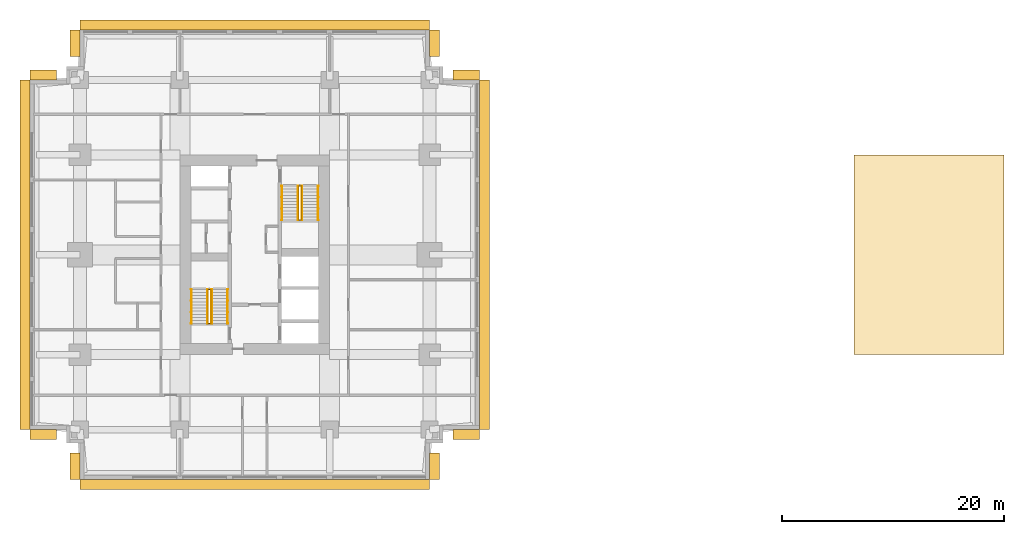
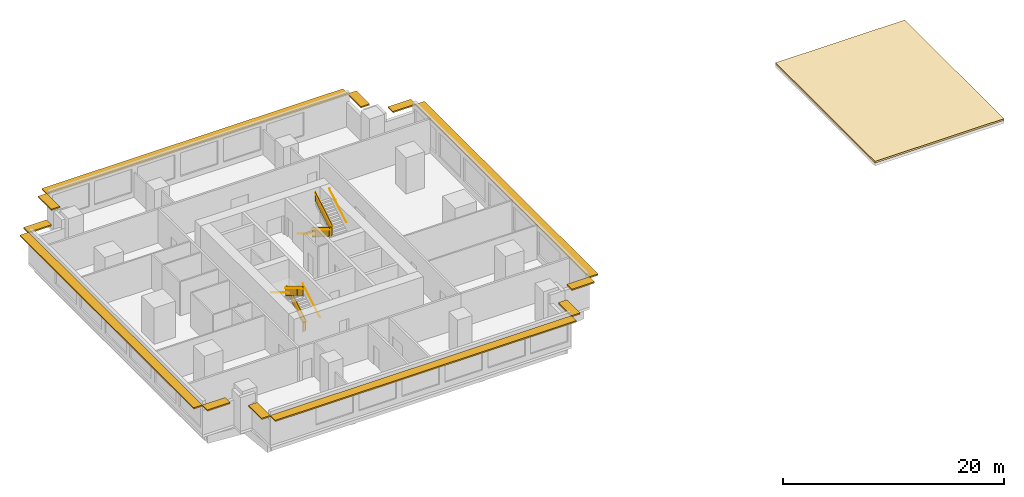
# One storey, part 5 of 5: 12 shading devices, 10 railings, 1 covering.
"""IFC4 building model written with IfcOpenShell, lengths in metres."""

from ifc_helpers import new_model, si_unit, direction, frame, origin, origin_2d, place, context, subcontext, project, spatial, polyline, rectangle, circle, outline, extrude, material, layer, layer_set, type_object, element, save


model = new_model("IFC4")

# Units and contexts
model_context = context("Model", 3, precision=1e-05, world=origin(), true_north=direction((0.0, 1.0)))
body_context = subcontext(model_context, "Body", "Model", "MODEL_VIEW")
ifc_project = project(units=[si_unit("LENGTHUNIT", "METRE"), si_unit("AREAUNIT", "SQUARE_METRE"), si_unit("VOLUMEUNIT", "CUBIC_METRE"), si_unit("PLANEANGLEUNIT", "RADIAN"), si_unit("MASSUNIT", "GRAM", prefix="KILO")], contexts=[model_context])

# Site, building, storey
site_placement = place(None, origin())
site = spatial("IfcSite", under=ifc_project, at=site_placement, CompositionType="ELEMENT")
building_placement = place(site_placement, origin())
building = spatial("IfcBuilding", under=site, at=building_placement, Name="Namib Vertical Campus", CompositionType="ELEMENT")
storey_placement = place(building_placement, frame((0.0, 0.0, 241.0)))
storey = spatial("IfcBuildingStorey", under=building, at=storey_placement, Name="L57", CompositionType="ELEMENT", Elevation=241.0)

# Railings
ifc_material_1 = material(Name="Steel handrail", Category="steel")
railing_type_1 = type_object("IfcRailingType", Name="Handrail 900", PredefinedType="HANDRAIL", material=ifc_material_1)
railing_1_placement = place(storey_placement, frame((17.800048828125, 14.050048828125, 0.166748046875)))
element("IfcRailing", 1, at=railing_1_placement, inside=storey, type_object=railing_type_1, Name="Handrail HR1 A-S1 L57 1", PredefinedType="HANDRAIL", context=body_context, shape_type="SweptSolid", body=[
    extrude(circle(Radius=0.02392578125, at=origin_2d()), frame((0.0, 0.0, 0.8759765625), z_axis=(0.0, 0.859290745958, 0.51148745235), x_axis=(-1.0, 0.0, 0.0)), (0.0, 0.0, 1.0), 3.584228515625),
    extrude(circle(Radius=0.008056640625, at=origin_2d()), frame((0.0, 0.0, 0.8759765625), z_axis=(1.0, 0.0, 0.0), x_axis=(0.0, 0.0, 1.0)), (0.0, 0.0, 1.0), 0.050048828125),
    extrude(circle(Radius=0.008056640625, at=origin_2d()), frame((0.0, 1.026611328125, 1.48681640625), z_axis=(1.0, 0.0, 0.0), x_axis=(0.0, 0.0, 1.0)), (0.0, 0.0, 1.0), 0.050048828125),
    extrude(circle(Radius=0.008056640625, at=origin_2d()), frame((0.0, 2.05322265625, 2.09814453125), z_axis=(1.0, 0.0, 0.0), x_axis=(0.0, 0.0, 1.0)), (0.0, 0.0, 1.0), 0.050048828125),
    extrude(circle(Radius=0.008056640625, at=origin_2d()), frame((0.0, 3.079833984375, 2.708984375), z_axis=(1.0, 0.0, 0.0), x_axis=(0.0, 0.0, 1.0)), (0.0, 0.0, 1.0), 0.050048828125),
])
railing_2_placement = place(storey_placement, frame((14.550048828125, 17.1298828125, 2.166748046875)))
element("IfcRailing", 2, at=railing_2_placement, inside=storey, type_object=railing_type_1, Name="Handrail HR1 A-S1 L57 2", PredefinedType="HANDRAIL", context=body_context, shape_type="SweptSolid", body=[
    extrude(circle(Radius=0.02392578125, at=origin_2d()), frame((0.0, 0.0, 0.8759765625), z_axis=(0.0, -0.859290745958, 0.51148745235), x_axis=(1.0, 0.0, 0.0)), (0.0, 0.0, 1.0), 3.584228515625),
    extrude(circle(Radius=0.008056640625, at=origin_2d()), frame((0.0, 0.0, 0.8759765625), z_axis=(-1.0, 0.0, 0.0), x_axis=(0.0, 0.0, 1.0)), (0.0, 0.0, 1.0), 0.050048828125),
    extrude(circle(Radius=0.008056640625, at=origin_2d()), frame((0.0, -1.026611328125, 1.48681640625), z_axis=(-1.0, 0.0, 0.0), x_axis=(0.0, 0.0, 1.0)), (0.0, 0.0, 1.0), 0.050048828125),
    extrude(circle(Radius=0.008056640625, at=origin_2d()), frame((0.0, -2.05322265625, 2.09814453125), z_axis=(-1.0, 0.0, 0.0), x_axis=(0.0, 0.0, 1.0)), (0.0, 0.0, 1.0), 0.050048828125),
    extrude(circle(Radius=0.008056640625, at=origin_2d()), frame((0.0, -3.079833984375, 2.708984375), z_axis=(-1.0, 0.0, 0.0), x_axis=(0.0, 0.0, 1.0)), (0.0, 0.0, 1.0), 0.050048828125),
])
railing_3_placement = place(storey_placement, frame((16.375, 14.050048828125, 0.166748046875)))
element("IfcRailing", 3, at=railing_3_placement, inside=storey, type_object=railing_type_1, Name="Handrail HR1 A-S1 L57 1 at the well", PredefinedType="HANDRAIL", context=body_context, shape_type="SweptSolid", body=[
    extrude(circle(Radius=0.02392578125, at=origin_2d()), frame((0.0, 0.0, 0.8759765625), z_axis=(0.0, 0.859290745958, 0.51148745235), x_axis=(-1.0, 0.0, 0.0)), (0.0, 0.0, 1.0), 3.584228515625),
    extrude(circle(Radius=0.008056640625, at=origin_2d()), frame((0.0, 0.0, 0.8759765625), z_axis=(-1.0, 0.0, 0.0), x_axis=(0.0, 0.0, 1.0)), (0.0, 0.0, 1.0), 0.0400390625),
    extrude(circle(Radius=0.008056640625, at=origin_2d()), frame((0.0, 1.026611328125, 1.48681640625), z_axis=(-1.0, 0.0, 0.0), x_axis=(0.0, 0.0, 1.0)), (0.0, 0.0, 1.0), 0.0400390625),
    extrude(circle(Radius=0.008056640625, at=origin_2d()), frame((0.0, 2.05322265625, 2.09814453125), z_axis=(-1.0, 0.0, 0.0), x_axis=(0.0, 0.0, 1.0)), (0.0, 0.0, 1.0), 0.0400390625),
    extrude(circle(Radius=0.008056640625, at=origin_2d()), frame((0.0, 3.079833984375, 2.708984375), z_axis=(-1.0, 0.0, 0.0), x_axis=(0.0, 0.0, 1.0)), (0.0, 0.0, 1.0), 0.0400390625),
])
railing_4_placement = place(storey_placement, frame((15.97509765625, 17.1298828125, 2.166748046875)))
element("IfcRailing", 4, at=railing_4_placement, inside=storey, type_object=railing_type_1, Name="Handrail HR1 A-S1 L57 2 at the well", PredefinedType="HANDRAIL", context=body_context, shape_type="SweptSolid", body=[
    extrude(circle(Radius=0.02392578125, at=origin_2d()), frame((0.0, 0.0, 0.8759765625), z_axis=(0.0, -0.859290745958, 0.51148745235), x_axis=(1.0, 0.0, 0.0)), (0.0, 0.0, 1.0), 3.584228515625),
    extrude(circle(Radius=0.008056640625, at=origin_2d()), frame((0.0, 0.0, 0.8759765625), z_axis=(1.0, 0.0, 0.0), x_axis=(0.0, 0.0, 1.0)), (0.0, 0.0, 1.0), 0.0400390625),
    extrude(circle(Radius=0.008056640625, at=origin_2d()), frame((0.0, -1.026611328125, 1.48681640625), z_axis=(1.0, 0.0, 0.0), x_axis=(0.0, 0.0, 1.0)), (0.0, 0.0, 1.0), 0.0400390625),
    extrude(circle(Radius=0.008056640625, at=origin_2d()), frame((0.0, -2.05322265625, 2.09814453125), z_axis=(1.0, 0.0, 0.0), x_axis=(0.0, 0.0, 1.0)), (0.0, 0.0, 1.0), 0.0400390625),
    extrude(circle(Radius=0.008056640625, at=origin_2d()), frame((0.0, -3.079833984375, 2.708984375), z_axis=(1.0, 0.0, 0.0), x_axis=(0.0, 0.0, 1.0)), (0.0, 0.0, 1.0), 0.0400390625),
])
railing_5_placement = place(storey_placement, frame((22.699951171875, 26.449951171875, 0.166748046875)))
element("IfcRailing", 5, at=railing_5_placement, inside=storey, type_object=railing_type_1, Name="Handrail HR1 A-S2 L57 1", PredefinedType="HANDRAIL", context=body_context, shape_type="SweptSolid", body=[
    extrude(circle(Radius=0.02392578125, at=origin_2d()), frame((0.0, 0.0, 0.8759765625), z_axis=(0.0, -0.859290745958, 0.51148745235), x_axis=(1.0, 0.0, 0.0)), (0.0, 0.0, 1.0), 3.584228515625),
    extrude(circle(Radius=0.008056640625, at=origin_2d()), frame((0.0, 0.0, 0.8759765625), z_axis=(-1.0, 0.0, 0.0), x_axis=(0.0, 0.0, 1.0)), (0.0, 0.0, 1.0), 0.050048828125),
    extrude(circle(Radius=0.008056640625, at=origin_2d()), frame((0.0, -1.026611328125, 1.48681640625), z_axis=(-1.0, 0.0, 0.0), x_axis=(0.0, 0.0, 1.0)), (0.0, 0.0, 1.0), 0.050048828125),
    extrude(circle(Radius=0.008056640625, at=origin_2d()), frame((0.0, -2.05322265625, 2.09814453125), z_axis=(-1.0, 0.0, 0.0), x_axis=(0.0, 0.0, 1.0)), (0.0, 0.0, 1.0), 0.050048828125),
    extrude(circle(Radius=0.008056640625, at=origin_2d()), frame((0.0, -3.079833984375, 2.708984375), z_axis=(-1.0, 0.0, 0.0), x_axis=(0.0, 0.0, 1.0)), (0.0, 0.0, 1.0), 0.050048828125),
])
railing_6_placement = place(storey_placement, frame((25.949951171875, 23.3701171875, 2.166748046875)))
element("IfcRailing", 6, at=railing_6_placement, inside=storey, type_object=railing_type_1, Name="Handrail HR1 A-S2 L57 2", PredefinedType="HANDRAIL", context=body_context, shape_type="SweptSolid", body=[
    extrude(circle(Radius=0.02392578125, at=origin_2d()), frame((0.0, 0.0, 0.8759765625), z_axis=(0.0, 0.859290745958, 0.51148745235), x_axis=(-1.0, 0.0, 0.0)), (0.0, 0.0, 1.0), 3.584228515625),
    extrude(circle(Radius=0.008056640625, at=origin_2d()), frame((0.0, 0.0, 0.8759765625), z_axis=(1.0, 0.0, 0.0), x_axis=(0.0, 0.0, 1.0)), (0.0, 0.0, 1.0), 0.050048828125),
    extrude(circle(Radius=0.008056640625, at=origin_2d()), frame((0.0, 1.026611328125, 1.48681640625), z_axis=(1.0, 0.0, 0.0), x_axis=(0.0, 0.0, 1.0)), (0.0, 0.0, 1.0), 0.050048828125),
    extrude(circle(Radius=0.008056640625, at=origin_2d()), frame((0.0, 2.05322265625, 2.09814453125), z_axis=(1.0, 0.0, 0.0), x_axis=(0.0, 0.0, 1.0)), (0.0, 0.0, 1.0), 0.050048828125),
    extrude(circle(Radius=0.008056640625, at=origin_2d()), frame((0.0, 3.079833984375, 2.708984375), z_axis=(1.0, 0.0, 0.0), x_axis=(0.0, 0.0, 1.0)), (0.0, 0.0, 1.0), 0.050048828125),
])
railing_7_placement = place(storey_placement, frame((24.125, 26.449951171875, 0.166748046875)))
element("IfcRailing", 7, at=railing_7_placement, inside=storey, type_object=railing_type_1, Name="Handrail HR1 A-S2 L57 1 at the well", PredefinedType="HANDRAIL", context=body_context, shape_type="SweptSolid", body=[
    extrude(circle(Radius=0.02392578125, at=origin_2d()), frame((0.0, 0.0, 0.8759765625), z_axis=(0.0, -0.859290745958, 0.51148745235), x_axis=(1.0, 0.0, 0.0)), (0.0, 0.0, 1.0), 3.584228515625),
    extrude(circle(Radius=0.008056640625, at=origin_2d()), frame((0.0, 0.0, 0.8759765625), z_axis=(1.0, 0.0, 0.0), x_axis=(0.0, 0.0, 1.0)), (0.0, 0.0, 1.0), 0.0400390625),
    extrude(circle(Radius=0.008056640625, at=origin_2d()), frame((0.0, -1.026611328125, 1.48681640625), z_axis=(1.0, 0.0, 0.0), x_axis=(0.0, 0.0, 1.0)), (0.0, 0.0, 1.0), 0.0400390625),
    extrude(circle(Radius=0.008056640625, at=origin_2d()), frame((0.0, -2.05322265625, 2.09814453125), z_axis=(1.0, 0.0, 0.0), x_axis=(0.0, 0.0, 1.0)), (0.0, 0.0, 1.0), 0.0400390625),
    extrude(circle(Radius=0.008056640625, at=origin_2d()), frame((0.0, -3.079833984375, 2.708984375), z_axis=(1.0, 0.0, 0.0), x_axis=(0.0, 0.0, 1.0)), (0.0, 0.0, 1.0), 0.0400390625),
])
railing_8_placement = place(storey_placement, frame((24.52490234375, 23.3701171875, 2.166748046875)))
element("IfcRailing", 8, at=railing_8_placement, inside=storey, type_object=railing_type_1, Name="Handrail HR1 A-S2 L57 2 at the well", PredefinedType="HANDRAIL", context=body_context, shape_type="SweptSolid", body=[
    extrude(circle(Radius=0.02392578125, at=origin_2d()), frame((0.0, 0.0, 0.8759765625), z_axis=(0.0, 0.859290745958, 0.51148745235), x_axis=(-1.0, 0.0, 0.0)), (0.0, 0.0, 1.0), 3.584228515625),
    extrude(circle(Radius=0.008056640625, at=origin_2d()), frame((0.0, 0.0, 0.8759765625), z_axis=(-1.0, 0.0, 0.0), x_axis=(0.0, 0.0, 1.0)), (0.0, 0.0, 1.0), 0.0400390625),
    extrude(circle(Radius=0.008056640625, at=origin_2d()), frame((0.0, 1.026611328125, 1.48681640625), z_axis=(-1.0, 0.0, 0.0), x_axis=(0.0, 0.0, 1.0)), (0.0, 0.0, 1.0), 0.0400390625),
    extrude(circle(Radius=0.008056640625, at=origin_2d()), frame((0.0, 2.05322265625, 2.09814453125), z_axis=(-1.0, 0.0, 0.0), x_axis=(0.0, 0.0, 1.0)), (0.0, 0.0, 1.0), 0.0400390625),
    extrude(circle(Radius=0.008056640625, at=origin_2d()), frame((0.0, 3.079833984375, 2.708984375), z_axis=(-1.0, 0.0, 0.0), x_axis=(0.0, 0.0, 1.0)), (0.0, 0.0, 1.0), 0.0400390625),
])

# Covering
ifc_material_2 = material(Name="Inverted roof: paving slabs on pedestals over 120 mm extruded polystyrene on a hot-applied waterproofing membrane", Category="insulation")
ifc_layer_1 = layer(ifc_material_2, 0.199951171875)
ifc_layer_set_1 = layer_set([ifc_layer_1], Name="Inverted roof build-up 200")
covering_type = type_object("IfcCoveringType", Name="Inverted roof build-up 200", PredefinedType="ROOFING", material=ifc_layer_set_1)
covering_placement = place(storey_placement, origin())
element("IfcCovering", 9, at=covering_placement, inside=storey, type_object=covering_type, Name="Roof build-up RC2 Tower B core roof 1", PredefinedType="ROOFING", context=body_context, shape_type="SweptSolid", body=[
    extrude(outline(polyline([(74.25, 29.25), (74.25, 11.25), (87.75, 11.25), (87.75, 29.25), (74.25, 29.25)])), origin(), (0.0, 0.0, 1.0), 0.199951171875),
])

# Railings
ifc_material_3 = material(Name="Steel balustrade", Category="steel")
railing_type_2 = type_object("IfcRailingType", Name="Stair guard 1100", PredefinedType="GUARDRAIL", material=ifc_material_3)
railing_9_placement = place(storey_placement, frame((16.02490234375, 14.050048828125, 0.0)))
element("IfcRailing", 10, at=railing_9_placement, inside=storey, type_object=railing_type_2, Name="Stair guard GR1 A-S1 L57", PredefinedType="GUARDRAIL", context=body_context, shape_type="SweptSolid", body=[
    extrude(circle(Radius=0.02392578125, at=origin_2d()), frame((0.0, 0.0, 1.076171875), z_axis=(1.0, 0.0, 0.0), x_axis=(0.0, 1.0, 0.0)), (0.0, 0.0, 1.0), 0.300048828125),
    extrude(outline(polyline([(0.02099609375, 0.050048828125), (0.279052734375, 0.050048828125), (0.279052734375, 1.052001953125), (0.02099609375, 1.052001953125), (0.02099609375, 0.050048828125)])), frame((0.0, 0.010009765625, 0.0), z_axis=(0.0, -1.0, 0.0), x_axis=(1.0, 0.0, 0.0)), (0.0, 0.0, 1.0), 0.02001953125),
    extrude(circle(Radius=0.02392578125, at=origin_2d()), frame((0.300048828125, 0.0, 1.076171875), z_axis=(0.0, 0.0, 1.0), x_axis=(1.0, 0.0, 0.0)), (0.0, 0.0, 1.0), 0.166748046875),
    extrude(circle(Radius=0.02392578125, at=origin_2d()), frame((0.300048828125, 0.0, 1.24267578125), z_axis=(0.0, 0.859290745958, 0.51148745235), x_axis=(-1.0, 0.0, 0.0)), (0.0, 0.0, 1.0), 3.584228515625),
    extrude(outline(polyline([(0.02099609375, 0.0625), (3.058837890625, 1.870849609375), (3.058837890625, 2.872802734375), (0.02099609375, 1.064453125), (0.02099609375, 0.0625)])), frame((0.2900390625, 0.0, 0.166748046875), z_axis=(1.0, 0.0, 0.0), x_axis=(0.0, 1.0, 0.0)), (0.0, 0.0, 1.0), 0.02001953125),
    extrude(circle(Radius=0.02392578125, at=origin_2d()), frame((0.300048828125, 3.079833984375, 3.076171875), z_axis=(-1.0, 0.0, 0.0), x_axis=(0.0, -1.0, 0.0)), (0.0, 0.0, 1.0), 0.300048828125),
    extrude(outline(polyline([(0.02099609375, 0.050048828125), (0.279052734375, 0.050048828125), (0.279052734375, 1.052001953125), (0.02099609375, 1.052001953125), (0.02099609375, 0.050048828125)])), frame((0.300048828125, 3.06982421875, 2.0), z_axis=(0.0, 1.0, 0.0), x_axis=(-1.0, 0.0, 0.0)), (0.0, 0.0, 1.0), 0.02001953125),
    extrude(circle(Radius=0.02392578125, at=origin_2d()), frame((0.0, 3.079833984375, 3.076171875), z_axis=(0.0, 0.0, 1.0), x_axis=(1.0, 0.0, 0.0)), (0.0, 0.0, 1.0), 0.166748046875),
    extrude(circle(Radius=0.02392578125, at=origin_2d()), frame((0.0, 3.079833984375, 3.24267578125), z_axis=(0.0, -0.859290745958, 0.51148745235), x_axis=(1.0, 0.0, 0.0)), (0.0, 0.0, 1.0), 3.584228515625),
    extrude(outline(polyline([(0.02099609375, 0.0625), (3.058837890625, 1.870849609375), (3.058837890625, 2.872802734375), (0.02099609375, 1.064453125), (0.02099609375, 0.0625)])), frame((0.010009765625, 3.079833984375, 2.166748046875), z_axis=(-1.0, 0.0, 0.0), x_axis=(0.0, -1.0, 0.0)), (0.0, 0.0, 1.0), 0.02001953125),
    extrude(circle(Radius=0.02392578125, at=origin_2d()), frame((0.0, 0.0, 5.076171875), z_axis=(0.0, -1.0, 0.0), x_axis=(1.0, 0.0, 0.0)), (0.0, 0.0, 1.0), 0.050048828125),
    extrude(outline(polyline([(0.02099609375, 0.050048828125), (0.029052734375, 0.050048828125), (0.029052734375, 1.052001953125), (0.02099609375, 1.052001953125), (0.02099609375, 0.050048828125)])), frame((0.010009765625, 0.0, 4.0), z_axis=(-1.0, 0.0, 0.0), x_axis=(0.0, -1.0, 0.0)), (0.0, 0.0, 1.0), 0.02001953125),
    extrude(circle(Radius=0.02099609375, at=origin_2d()), origin(), (0.0, 0.0, 1.0), 1.052001953125),
    extrude(circle(Radius=0.02099609375, at=origin_2d()), frame((0.300048828125, 0.0, 0.166748046875)), (0.0, 0.0, 1.0), 1.052001953125),
    extrude(circle(Radius=0.02099609375, at=origin_2d()), frame((0.300048828125, 1.026611328125, 0.666748046875)), (0.0, 0.0, 1.0), 1.1630859375),
    extrude(circle(Radius=0.02099609375, at=origin_2d()), frame((0.300048828125, 2.05322265625, 1.33349609375)), (0.0, 0.0, 1.0), 1.107421875),
    extrude(circle(Radius=0.02099609375, at=origin_2d()), frame((0.300048828125, 3.079833984375, 2.0)), (0.0, 0.0, 1.0), 1.052001953125),
    extrude(circle(Radius=0.02099609375, at=origin_2d()), frame((0.0, 3.079833984375, 2.166748046875)), (0.0, 0.0, 1.0), 1.052001953125),
    extrude(circle(Radius=0.02099609375, at=origin_2d()), frame((0.0, 2.05322265625, 2.666748046875)), (0.0, 0.0, 1.0), 1.1630859375),
    extrude(circle(Radius=0.02099609375, at=origin_2d()), frame((0.0, 1.026611328125, 3.33349609375)), (0.0, 0.0, 1.0), 1.107421875),
    extrude(circle(Radius=0.02099609375, at=origin_2d()), frame((0.0, 0.0, 4.0)), (0.0, 0.0, 1.0), 1.052001953125),
    extrude(circle(Radius=0.02099609375, at=origin_2d()), frame((0.0, -0.050048828125, 4.0)), (0.0, 0.0, 1.0), 1.052001953125),
])
railing_10_placement = place(storey_placement, frame((24.47509765625, 26.449951171875, 0.0)))
element("IfcRailing", 11, at=railing_10_placement, inside=storey, type_object=railing_type_2, Name="Stair guard GR1 A-S2 L57", PredefinedType="GUARDRAIL", context=body_context, shape_type="SweptSolid", body=[
    extrude(circle(Radius=0.02392578125, at=origin_2d()), frame((0.0, 0.0, 1.076171875), z_axis=(-1.0, 0.0, 0.0), x_axis=(0.0, -1.0, 0.0)), (0.0, 0.0, 1.0), 0.300048828125),
    extrude(outline(polyline([(0.02099609375, 0.050048828125), (0.279052734375, 0.050048828125), (0.279052734375, 1.052001953125), (0.02099609375, 1.052001953125), (0.02099609375, 0.050048828125)])), frame((0.0, -0.010009765625, 0.0), z_axis=(0.0, 1.0, 0.0), x_axis=(-1.0, 0.0, 0.0)), (0.0, 0.0, 1.0), 0.02001953125),
    extrude(circle(Radius=0.02392578125, at=origin_2d()), frame((-0.300048828125, 0.0, 1.076171875), z_axis=(0.0, 0.0, 1.0), x_axis=(1.0, 0.0, 0.0)), (0.0, 0.0, 1.0), 0.166748046875),
    extrude(circle(Radius=0.02392578125, at=origin_2d()), frame((-0.300048828125, 0.0, 1.24267578125), z_axis=(0.0, -0.859290745958, 0.51148745235), x_axis=(1.0, 0.0, 0.0)), (0.0, 0.0, 1.0), 3.584228515625),
    extrude(outline(polyline([(0.02099609375, 0.0625), (3.058837890625, 1.870849609375), (3.058837890625, 2.872802734375), (0.02099609375, 1.064453125), (0.02099609375, 0.0625)])), frame((-0.2900390625, 0.0, 0.166748046875), z_axis=(-1.0, 0.0, 0.0), x_axis=(0.0, -1.0, 0.0)), (0.0, 0.0, 1.0), 0.02001953125),
    extrude(circle(Radius=0.02392578125, at=origin_2d()), frame((-0.300048828125, -3.079833984375, 3.076171875), z_axis=(1.0, 0.0, 0.0), x_axis=(0.0, 1.0, 0.0)), (0.0, 0.0, 1.0), 0.300048828125),
    extrude(outline(polyline([(0.02099609375, 0.050048828125), (0.279052734375, 0.050048828125), (0.279052734375, 1.052001953125), (0.02099609375, 1.052001953125), (0.02099609375, 0.050048828125)])), frame((-0.300048828125, -3.06982421875, 2.0), z_axis=(0.0, -1.0, 0.0), x_axis=(1.0, 0.0, 0.0)), (0.0, 0.0, 1.0), 0.02001953125),
    extrude(circle(Radius=0.02392578125, at=origin_2d()), frame((0.0, -3.079833984375, 3.076171875), z_axis=(0.0, 0.0, 1.0), x_axis=(1.0, 0.0, 0.0)), (0.0, 0.0, 1.0), 0.166748046875),
    extrude(circle(Radius=0.02392578125, at=origin_2d()), frame((0.0, -3.079833984375, 3.24267578125), z_axis=(0.0, 0.859290745958, 0.51148745235), x_axis=(-1.0, 0.0, 0.0)), (0.0, 0.0, 1.0), 3.584228515625),
    extrude(outline(polyline([(0.02099609375, 0.0625), (3.058837890625, 1.870849609375), (3.058837890625, 2.872802734375), (0.02099609375, 1.064453125), (0.02099609375, 0.0625)])), frame((-0.010009765625, -3.079833984375, 2.166748046875), z_axis=(1.0, 0.0, 0.0), x_axis=(0.0, 1.0, 0.0)), (0.0, 0.0, 1.0), 0.02001953125),
    extrude(circle(Radius=0.02392578125, at=origin_2d()), frame((0.0, 0.0, 5.076171875), z_axis=(0.0, 1.0, 0.0), x_axis=(-1.0, 0.0, 0.0)), (0.0, 0.0, 1.0), 0.050048828125),
    extrude(outline(polyline([(0.02099609375, 0.050048828125), (0.029052734375, 0.050048828125), (0.029052734375, 1.052001953125), (0.02099609375, 1.052001953125), (0.02099609375, 0.050048828125)])), frame((-0.010009765625, 0.0, 4.0), z_axis=(1.0, 0.0, 0.0), x_axis=(0.0, 1.0, 0.0)), (0.0, 0.0, 1.0), 0.02001953125),
    extrude(circle(Radius=0.02099609375, at=origin_2d()), origin(), (0.0, 0.0, 1.0), 1.052001953125),
    extrude(circle(Radius=0.02099609375, at=origin_2d()), frame((-0.300048828125, 0.0, 0.166748046875)), (0.0, 0.0, 1.0), 1.052001953125),
    extrude(circle(Radius=0.02099609375, at=origin_2d()), frame((-0.300048828125, -1.026611328125, 0.666748046875)), (0.0, 0.0, 1.0), 1.1630859375),
    extrude(circle(Radius=0.02099609375, at=origin_2d()), frame((-0.300048828125, -2.05322265625, 1.33349609375)), (0.0, 0.0, 1.0), 1.107421875),
    extrude(circle(Radius=0.02099609375, at=origin_2d()), frame((-0.300048828125, -3.079833984375, 2.0)), (0.0, 0.0, 1.0), 1.052001953125),
    extrude(circle(Radius=0.02099609375, at=origin_2d()), frame((0.0, -3.079833984375, 2.166748046875)), (0.0, 0.0, 1.0), 1.052001953125),
    extrude(circle(Radius=0.02099609375, at=origin_2d()), frame((0.0, -2.05322265625, 2.666748046875)), (0.0, 0.0, 1.0), 1.1630859375),
    extrude(circle(Radius=0.02099609375, at=origin_2d()), frame((0.0, -1.026611328125, 3.33349609375)), (0.0, 0.0, 1.0), 1.107421875),
    extrude(circle(Radius=0.02099609375, at=origin_2d()), frame((0.0, 0.0, 4.0)), (0.0, 0.0, 1.0), 1.052001953125),
    extrude(circle(Radius=0.02099609375, at=origin_2d()), frame((0.0, 0.050048828125, 4.0)), (0.0, 0.0, 1.0), 1.052001953125),
])

# Shading devices
ifc_material_4 = material(Name="Concrete C40/50 precast", Category="concrete")
ifc_layer_2 = layer(ifc_material_4, 0.14990234375)
ifc_layer_set_2 = layer_set([ifc_layer_2], Name="Concrete C40/50 precast")
shading_device_type = type_object("IfcShadingDeviceType", Name="Sunshade hood 900", PredefinedType="SHUTTER", material=ifc_layer_set_2)
shading_device_1_placement = place(storey_placement, frame((20.25, -0.449951171875, 3.199951171875), z_axis=(0.0, 0.0, 1.0), x_axis=(1.0, 0.0, 0.0)))
element("IfcShadingDevice", 12, at=shading_device_1_placement, inside=storey, type_object=shading_device_type, Name="Sunshade SH1 L57 1", PredefinedType="SHUTTER", context=body_context, shape_type="SweptSolid", body=[
    extrude(rectangle(XDim=31.5, YDim=0.89990234375, at=origin_2d()), origin(), (0.0, 0.0, 1.0), 0.14990234375),
])
for number, where, z_axis, x_axis, name in (
    (13, (36.449951171875, 1.1875, 3.199951171875), (0.0, 0.0, 1.0), (0.0, 1.0, 0.0), "Sunshade SH1 L57 2"),
    (14, (39.3125, 4.050048828125, 3.199951171875), (0.0, 0.0, 1.0), (1.0, 0.0, 0.0), "Sunshade SH1 L57 5"),
):
    element("IfcShadingDevice", number, at=place(storey_placement, frame(where, z_axis=z_axis, x_axis=x_axis)), inside=storey, type_object=shading_device_type, Name=name, PredefinedType="SHUTTER", context=body_context, shape_type="SweptSolid", body=[
        extrude(rectangle(XDim=2.375, YDim=0.89990234375, at=origin_2d()), origin(), (0.0, 0.0, 1.0), 0.14990234375),
    ])
shading_device_2_placement = place(storey_placement, frame((40.949951171875, 20.25, 3.199951171875), z_axis=(0.0, 0.0, 1.0), x_axis=(0.0, 1.0, 0.0)))
element("IfcShadingDevice", 15, at=shading_device_2_placement, inside=storey, type_object=shading_device_type, Name="Sunshade SH1 L57 6", PredefinedType="SHUTTER", context=body_context, shape_type="SweptSolid", body=[
    extrude(rectangle(XDim=31.5, YDim=0.89990234375, at=origin_2d()), origin(), (0.0, 0.0, 1.0), 0.14990234375),
])
for number, where, z_axis, x_axis, name in (
    (16, (39.3125, 36.449951171875, 3.199951171875), (0.0, 0.0, 1.0), (-1.0, 0.0, 0.0), "Sunshade SH1 L57 7"),
    (17, (36.449951171875, 39.3125, 3.199951171875), (0.0, 0.0, 1.0), (0.0, 1.0, 0.0), "Sunshade SH1 L57 10"),
):
    element("IfcShadingDevice", number, at=place(storey_placement, frame(where, z_axis=z_axis, x_axis=x_axis)), inside=storey, type_object=shading_device_type, Name=name, PredefinedType="SHUTTER", context=body_context, shape_type="SweptSolid", body=[
        extrude(rectangle(XDim=2.375, YDim=0.89990234375, at=origin_2d()), origin(), (0.0, 0.0, 1.0), 0.14990234375),
    ])
shading_device_3_placement = place(storey_placement, frame((20.25, 40.949951171875, 3.199951171875), z_axis=(0.0, 0.0, 1.0), x_axis=(-1.0, 0.0, 0.0)))
element("IfcShadingDevice", 18, at=shading_device_3_placement, inside=storey, type_object=shading_device_type, Name="Sunshade SH1 L57 11", PredefinedType="SHUTTER", context=body_context, shape_type="SweptSolid", body=[
    extrude(rectangle(XDim=31.5, YDim=0.89990234375, at=origin_2d()), origin(), (0.0, 0.0, 1.0), 0.14990234375),
])
for number, where, z_axis, x_axis, name in (
    (19, (4.050048828125, 39.3125, 3.199951171875), (0.0, 0.0, 1.0), (0.0, -1.0, 0.0), "Sunshade SH1 L57 12"),
    (20, (1.1875, 36.449951171875, 3.199951171875), (0.0, 0.0, 1.0), (-1.0, 0.0, 0.0), "Sunshade SH1 L57 15"),
):
    element("IfcShadingDevice", number, at=place(storey_placement, frame(where, z_axis=z_axis, x_axis=x_axis)), inside=storey, type_object=shading_device_type, Name=name, PredefinedType="SHUTTER", context=body_context, shape_type="SweptSolid", body=[
        extrude(rectangle(XDim=2.375, YDim=0.89990234375, at=origin_2d()), origin(), (0.0, 0.0, 1.0), 0.14990234375),
    ])
shading_device_4_placement = place(storey_placement, frame((-0.449951171875, 20.25, 3.199951171875), z_axis=(0.0, 0.0, 1.0), x_axis=(0.0, -1.0, 0.0)))
element("IfcShadingDevice", 21, at=shading_device_4_placement, inside=storey, type_object=shading_device_type, Name="Sunshade SH1 L57 16", PredefinedType="SHUTTER", context=body_context, shape_type="SweptSolid", body=[
    extrude(rectangle(XDim=31.5, YDim=0.89990234375, at=origin_2d()), origin(), (0.0, 0.0, 1.0), 0.14990234375),
])
for number, where, z_axis, x_axis, name in (
    (22, (1.1875, 4.050048828125, 3.199951171875), (0.0, 0.0, 1.0), (1.0, 0.0, 0.0), "Sunshade SH1 L57 17"),
    (23, (4.050048828125, 1.1875, 3.199951171875), (0.0, 0.0, 1.0), (0.0, -1.0, 0.0), "Sunshade SH1 L57 20"),
):
    element("IfcShadingDevice", number, at=place(storey_placement, frame(where, z_axis=z_axis, x_axis=x_axis)), inside=storey, type_object=shading_device_type, Name=name, PredefinedType="SHUTTER", context=body_context, shape_type="SweptSolid", body=[
        extrude(rectangle(XDim=2.375, YDim=0.89990234375, at=origin_2d()), origin(), (0.0, 0.0, 1.0), 0.14990234375),
    ])

save(model, "model.ifc")
